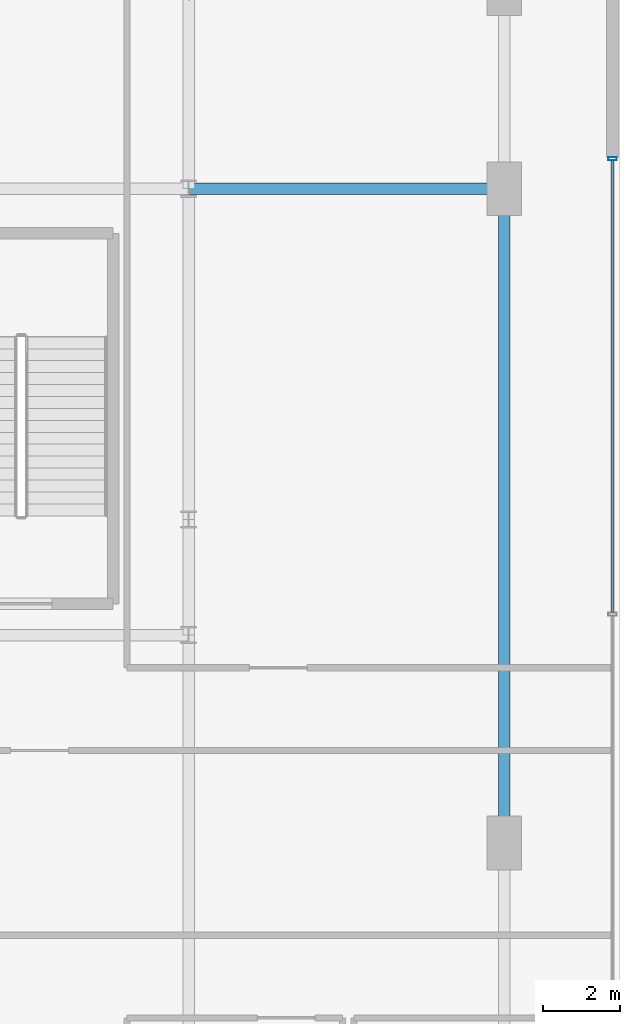
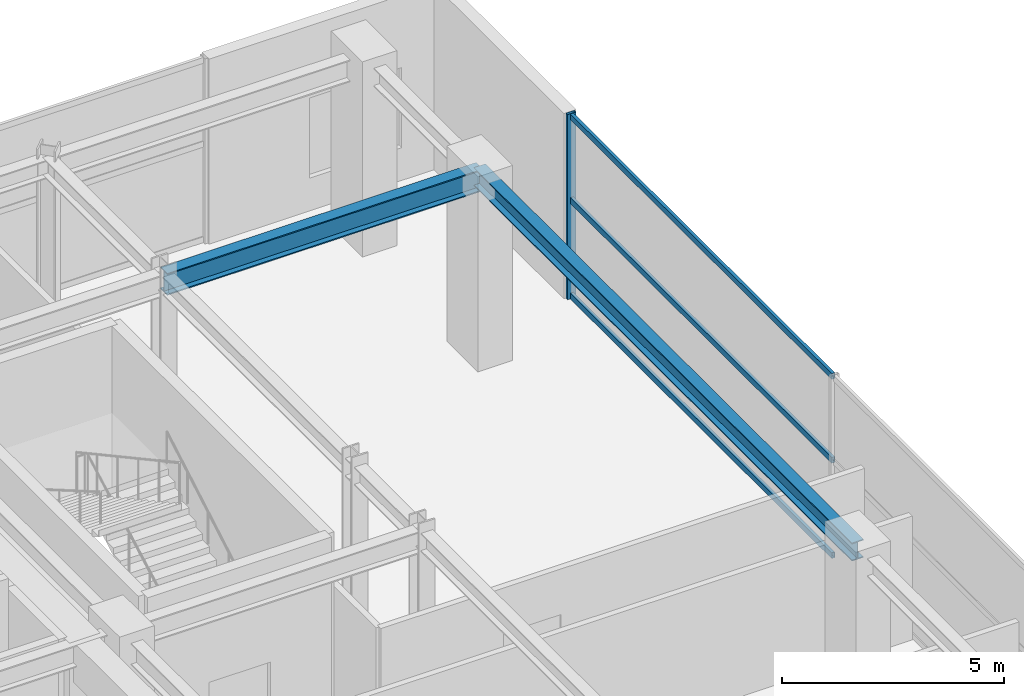
# One storey, part 24 of 34: 4 members, 2 beams, 1 element without a shape of its own.
"""IFC4 building model written with IfcOpenShell, lengths in metres."""

import ifcopenshell
import ifcopenshell.guid

model = None  # the IFC model being written
_history = None  # IfcOwnerHistory: only IFC2X3 demands one
_inside = {}  # id of a spatial element -> (the spatial element, [elements in it])
_under = {}  # id of a project, library or spatial element -> (it, [spatial elements below it])
_declared = {}  # id of a project -> (the project, [libraries it declares])
_typed = {}  # id of a type object -> (the type object, [elements of that type])
_made_of = {}  # id of a material, layer set ... -> (it, [elements and type objects made of it])


def new_model(schema):
    """Start an empty IFC model of exactly this schema.

    Asked for "IFC4X3", IfcOpenShell would pick the latest addendum, in which some entities
    have other attributes; the version numbers below select the first issue.
    IFC2X3 requires an IfcOwnerHistory on every rooted entity: one is made here for all.
    """
    global model, _history
    if schema == "IFC4X3":
        model = ifcopenshell.file(schema_version=(4, 3, 0, 0))
    else:
        model = ifcopenshell.file(schema=schema)
    _inside.clear()
    _under.clear()
    _declared.clear()
    _typed.clear()
    _made_of.clear()
    _history = None
    if model.schema == "IFC2X3":
        org = make("IfcOrganization", Name="unknown")
        user = make(
            "IfcPersonAndOrganization",
            ThePerson=make("IfcPerson", FamilyName="unknown"),
            TheOrganization=org,
        )
        app = make(
            "IfcApplication",
            ApplicationDeveloper=org,
            Version="unknown",
            ApplicationFullName="unknown",
            ApplicationIdentifier="unknown",
        )
        _history = make(
            "IfcOwnerHistory",
            OwningUser=user,
            OwningApplication=app,
            ChangeAction="ADDED",
            CreationDate=0,
        )
    return model


def make(cls, **values):
    """One entity of the class cls with the attributes given. An attribute that is None is left unset."""
    return model.create_entity(
        cls, **{name: value for name, value in values.items() if value is not None}
    )


def rooted(cls, **values):
    """An entity with a GlobalId (a new one), such as an element, a storey or a relation."""
    return make(cls, GlobalId=ifcopenshell.guid.new(), OwnerHistory=_history, **values)


def si_unit(unit_type, name, prefix=None):
    """IfcSIUnit, for example si_unit("LENGTHUNIT", "METRE", prefix="MILLI")."""
    return make("IfcSIUnit", UnitType=unit_type, Prefix=prefix, Name=name)


def assignment(units):
    """IfcUnitAssignment: the units of a project."""
    return None if units is None else make("IfcUnitAssignment", Units=units)


def point(xyz):
    """IfcCartesianPoint."""
    return None if xyz is None else make("IfcCartesianPoint", Coordinates=xyz)


def direction(xyz):
    """IfcDirection."""
    return None if xyz is None else make("IfcDirection", DirectionRatios=xyz)


def frame(location, z_axis=None, x_axis=None):
    """IfcAxis2Placement3D, a coordinate frame: its origin and axes. An axis left out is left unset."""
    return make(
        "IfcAxis2Placement3D",
        Location=point(location),
        Axis=direction(z_axis),
        RefDirection=direction(x_axis),
    )


def frame_2d(location, x_axis=None):
    """IfcAxis2Placement2D, a coordinate frame in the plane: its origin and x axis."""
    return make(
        "IfcAxis2Placement2D", Location=point(location), RefDirection=direction(x_axis)
    )


def origin():
    """The frame at (0, 0, 0) with its axes left unset."""
    return frame((0.0, 0.0, 0.0))


def origin_2d():
    """The frame at (0, 0) in the plane with its x axis left unset."""
    return frame_2d((0.0, 0.0))


def place(relative_to, where):
    """IfcLocalPlacement: puts the frame where relative to a parent placement (None: the world)."""
    return make(
        "IfcLocalPlacement", PlacementRelTo=relative_to, RelativePlacement=where
    )


def context(
    kind, dimensions, precision=None, world=None, true_north=None, identifier=None
):
    """IfcGeometricRepresentationContext, for example the 3D "Model" context."""
    return make(
        "IfcGeometricRepresentationContext",
        ContextIdentifier=identifier,
        ContextType=kind,
        CoordinateSpaceDimension=dimensions,
        Precision=precision,
        WorldCoordinateSystem=world,
        TrueNorth=true_north,
    )


def subcontext(parent, identifier, kind, view, scale=None):
    """IfcGeometricRepresentationSubContext, for example "Body" below "Model"."""
    return make(
        "IfcGeometricRepresentationSubContext",
        ContextIdentifier=identifier,
        ContextType=kind,
        ParentContext=parent,
        TargetScale=scale,
        TargetView=view,
    )


def project(units=None, contexts=None):
    """IfcProject with its units and contexts."""
    return rooted(
        "IfcProject",
        Name="project",
        RepresentationContexts=contexts,
        UnitsInContext=assignment(units),
    )


def spatial(cls, under=None, at=None, **own):
    """A site, building, storey or space (cls), placed at a placement, below another one or the project."""
    s = rooted(cls, ObjectPlacement=at, **own)
    if under is not None:
        _under.setdefault(under.id(), (under, []))[1].append(s)
    return s


def profile(cls, at=None, kind="AREA", **sizes):
    """A parametric profile (cls). Its sizes go by their IFC names, for example OverallWidth=200.0."""
    return make(cls, ProfileType=kind, Position=at, **sizes)


def hollow_rectangle(**sizes):
    """IfcRectangleHollowProfileDef."""
    return profile("IfcRectangleHollowProfileDef", **sizes)


def i_section(**sizes):
    """IfcIShapeProfileDef."""
    return profile("IfcIShapeProfileDef", **sizes)


def extrude(swept, where, along, depth):
    """IfcExtrudedAreaSolid: the profile swept, set in the frame where, extruded along a direction by depth."""
    return make(
        "IfcExtrudedAreaSolid",
        SweptArea=swept,
        Position=where,
        ExtrudedDirection=direction(along),
        Depth=depth,
    )


def shape(context_of_items, identifier, shape_type, items):
    """IfcShapeRepresentation: the items that make up one representation, for example the "Body"."""
    return make(
        "IfcShapeRepresentation",
        ContextOfItems=context_of_items,
        RepresentationIdentifier=identifier,
        RepresentationType=shape_type,
        Items=items,
    )


def source(mapping_origin, context_of_items, identifier, shape_type, items):
    """IfcRepresentationMap: a shape defined once, which mapped items show again and again."""
    return make(
        "IfcRepresentationMap",
        MappingOrigin=mapping_origin,
        MappedRepresentation=shape(context_of_items, identifier, shape_type, items),
    )


def transform(
    local_origin,
    x_axis=None,
    y_axis=None,
    z_axis=None,
    scale=None,
    scale2=None,
    scale3=None,
    uniform=True,
):
    """IfcCartesianTransformationOperator3D, or its non-uniform kind. x_axis, y_axis, z_axis: its Axis1, 2, 3."""
    if uniform:
        return make(
            "IfcCartesianTransformationOperator3D",
            Axis1=direction(x_axis),
            Axis2=direction(y_axis),
            LocalOrigin=point(local_origin),
            Scale=scale,
            Axis3=direction(z_axis),
        )
    return make(
        "IfcCartesianTransformationOperator3DnonUniform",
        Axis1=direction(x_axis),
        Axis2=direction(y_axis),
        LocalOrigin=point(local_origin),
        Scale=scale,
        Axis3=direction(z_axis),
        Scale2=scale2,
        Scale3=scale3,
    )


def mapped(mapping_source, mapping_target):
    """IfcMappedItem: shows the shape of a source again, moved by a transform."""
    return make(
        "IfcMappedItem", MappingSource=mapping_source, MappingTarget=mapping_target
    )


def material(Name=None, Category=None):
    """IfcMaterial."""
    return make("IfcMaterial", Name=Name, Category=Category)


def material_profile(
    of_material, cross_section, Name=None, Category=None, Priority=None
):
    """IfcMaterialProfile: a cross section and its material."""
    return make(
        "IfcMaterialProfile",
        Name=Name,
        Material=of_material,
        Profile=cross_section,
        Priority=Priority,
        Category=Category,
    )


def profile_set(profiles, Name=None, composite=None):
    """IfcMaterialProfileSet."""
    return make(
        "IfcMaterialProfileSet",
        Name=Name,
        MaterialProfiles=profiles,
        CompositeProfile=composite,
    )


def made_of(thing, what):
    """Note that an element or type object is made of a material, layer set ...; save() writes the relation."""
    if what is not None:
        _made_of.setdefault(what.id(), (what, []))[1].append(thing)
    return thing


def type_object(cls, material=None, **own):
    """A type object (cls), such as IfcWallType, which elements share."""
    return made_of(rooted(cls, **own), material)


def element(
    cls,
    number,
    at=None,
    inside=None,
    cuts=None,
    type_object=None,
    material=None,
    context=None,
    identifier="Body",
    shape_type=None,
    held_by="IfcProductDefinitionShape",
    body=None,
    shapes=None,
    **own,
):
    """One element of the class cls, such as IfcWall. Its Tag is "e" and its number.

    at: its placement. inside: the storey or other place that contains it. cuts: it is an
    opening in that element (IfcRelVoidsElement). A single representation is given by context,
    identifier, shape_type and body (its items); several are given by shapes. held_by: the class
    of the entity that holds the representations. save() writes the other relations.
    """
    e = rooted(cls, Tag="e%d" % number, ObjectPlacement=at, **own)
    if body is not None:
        shapes = [shape(context, identifier, shape_type, body)]
    if shapes is not None:
        e.Representation = make(held_by, Representations=shapes)
    if inside is not None:
        _inside.setdefault(inside.id(), (inside, []))[1].append(e)
    if cuts is not None:
        rooted(
            "IfcRelVoidsElement", RelatingBuildingElement=cuts, RelatedOpeningElement=e
        )
    if type_object is not None:
        _typed.setdefault(type_object.id(), (type_object, []))[1].append(e)
    return made_of(e, material)


def aggregate(whole, parts):
    """IfcRelAggregates: a whole, such as a stair, and the parts it consists of."""
    return rooted("IfcRelAggregates", RelatingObject=whole, RelatedObjects=parts)


def save(model, path):
    """Write the relations noted so far, then the file.

    IfcRelAggregates (storeys below a building ...), IfcRelContainedInSpatialStructure (elements
    in a storey), IfcRelDefinesByType, IfcRelAssociatesMaterial and IfcRelDeclares: one each for
    every whole, place, type object, material and project.
    """
    for whole, parts in _under.values():
        aggregate(whole, parts)
    for where, things in _inside.values():
        rooted(
            "IfcRelContainedInSpatialStructure",
            RelatedElements=things,
            RelatingStructure=where,
        )
    for kind, things in _typed.values():
        rooted("IfcRelDefinesByType", RelatedObjects=things, RelatingType=kind)
    for what, things in _made_of.values():
        rooted("IfcRelAssociatesMaterial", RelatedObjects=things, RelatingMaterial=what)
    for by, libraries in _declared.values():
        rooted("IfcRelDeclares", RelatingContext=by, RelatedDefinitions=libraries)
    model.write(path)


model = new_model("IFC4")

# Units and contexts
model_context = context("Model", 3, precision=1e-05, world=origin(), true_north=direction((0.0, 1.0)))
body_context = subcontext(model_context, "Body", "Model", "MODEL_VIEW")
ifc_project = project(units=[si_unit("LENGTHUNIT", "METRE"), si_unit("AREAUNIT", "SQUARE_METRE"), si_unit("VOLUMEUNIT", "CUBIC_METRE"), si_unit("PLANEANGLEUNIT", "RADIAN"), si_unit("MASSUNIT", "GRAM", prefix="KILO")], contexts=[model_context])

# Site, building, storey
site_placement = place(None, origin())
site = spatial("IfcSite", under=ifc_project, at=site_placement, CompositionType="ELEMENT")
building_placement = place(site_placement, origin())
building = spatial("IfcBuilding", under=site, at=building_placement, Name="Nahalor Promenade Grand Hotel", CompositionType="ELEMENT")
storey_placement = place(building_placement, frame((0.0, 0.0, 16.199951171875)))
storey = spatial("IfcBuildingStorey", under=building, at=storey_placement, Name="L03", CompositionType="ELEMENT", Elevation=16.199951171875)

# Beams
ifc_material_1 = material(Name="Steel S355JR", Category="steel")
ifc_material_profile_1 = material_profile(ifc_material_1, i_section(OverallWidth=0.3, OverallDepth=0.6, WebThickness=0.0155, FlangeThickness=0.03, at=origin_2d()), Name="HEB 600")
ifc_profile_set_1 = profile_set([ifc_material_profile_1], Name="Steel S355JR")
beam_type_1 = type_object("IfcBeamType", Name="Beam-Girder-HEB600", PredefinedType="BEAM", material=ifc_profile_set_1)
shared_shape_1 = source(origin(), body_context, "Body", "SweptSolid", [
    extrude(i_section(OverallWidth=0.3, OverallDepth=0.6, WebThickness=0.0155, FlangeThickness=0.03, at=origin_2d()), origin(), (0.0, 0.0, 1.0), 8.199951171875),
])
beam_1_placement = place(storey_placement, frame((24.800048828125, 17.0, 4.780029296875), z_axis=(1.0, 0.0, 0.0), x_axis=(0.0, 1.0, 0.0)))
element("IfcBeam", 1, at=beam_1_placement, inside=storey, type_object=beam_type_1, Name="BM-L03-GX-3-8", PredefinedType="BEAM", context=body_context, shape_type="MappedRepresentation", body=[
    mapped(shared_shape_1, transform((0.0, 0.0, 0.0), scale=1.0)),
])
ifc_material_profile_2 = material_profile(ifc_material_1, i_section(OverallWidth=0.3, OverallDepth=0.5, WebThickness=0.0145, FlangeThickness=0.028, at=origin_2d()), Name="HEB 500")
ifc_profile_set_2 = profile_set([ifc_material_profile_2], Name="Steel S355JR")
beam_type_2 = type_object("IfcBeamType", Name="Beam-Spandrel-HEB500", PredefinedType="SPANDREL", material=ifc_profile_set_2)
shared_shape_2 = source(origin(), body_context, "Body", "SweptSolid", [
    extrude(i_section(OverallWidth=0.3, OverallDepth=0.5, WebThickness=0.0145, FlangeThickness=0.028, at=origin_2d()), origin(), (0.0, 0.0, 1.0), 17.0),
])
beam_2_placement = place(storey_placement, frame((33.0, 0.0, 4.830078125), z_axis=(0.0, 1.0, 0.0), x_axis=(-1.0, 0.0, 0.0)))
element("IfcBeam", 2, at=beam_2_placement, inside=storey, type_object=beam_type_2, Name="BM-L03-PE-2", PredefinedType="SPANDREL", context=body_context, shape_type="MappedRepresentation", body=[
    mapped(shared_shape_2, transform((0.0, 0.0, 0.0), scale=1.0)),
])

# Curtain wall, members
ifc_material_2 = material(Name="Anodised Bronze Aluminium EN AW-6063 T6", Category="aluminium")
curtain_wall_type = type_object("IfcCurtainWallType", Name="CW1 Waterfront Podium Bronze Arcade Curtain Wall", PredefinedType="USERDEFINED", material=ifc_material_2)
curtain_wall_placement = place(storey_placement, origin())
curtain_wall = element("IfcCurtainWall", 3, at=curtain_wall_placement, inside=storey, type_object=curtain_wall_type, Name="L03 Curtain Wall CW-L03-E", ObjectType="UNITISED_CURTAIN_WALL", PredefinedType="USERDEFINED")
ifc_material_profile_3 = material_profile(ifc_material_2, hollow_rectangle(XDim=0.08, YDim=0.22, WallThickness=0.005, at=origin_2d()), Name="CWM 80x220x5")
ifc_profile_set_3 = profile_set([ifc_material_profile_3], Name="Anodised Bronze Aluminium EN AW-6063 T6")
member_type_1 = type_object("IfcMemberType", Name="CWM1 Podium Bronze Mullion 80x220", PredefinedType="MULLION", material=ifc_profile_set_3)
shared_shape_3 = source(origin(), body_context, "Body", "SweptSolid", [
    extrude(hollow_rectangle(XDim=0.08, YDim=0.22, WallThickness=0.005, at=origin_2d()), origin(), (0.0, 0.0, 1.0), 5.080078125),
])
member_1_placement = place(storey_placement, frame((35.820068359375, 17.780029296875, 0.0), z_axis=(0.0, 0.0, 1.0), x_axis=(0.0, 1.0, 0.0)))
member_1 = element("IfcMember", 4, at=member_1_placement, type_object=member_type_1, Name="CW-L03-E Mullion 3", PredefinedType="MULLION", context=body_context, shape_type="MappedRepresentation", body=[
    mapped(shared_shape_3, transform((0.0, 0.0, 0.0), scale=1.0)),
])
ifc_material_profile_4 = material_profile(ifc_material_2, hollow_rectangle(XDim=0.08, YDim=0.16, WallThickness=0.004, at=origin_2d()), Name="CWT 80x160x4")
ifc_profile_set_4 = profile_set([ifc_material_profile_4], Name="Anodised Bronze Aluminium EN AW-6063 T6")
member_type_2 = type_object("IfcMemberType", Name="CWT1 Podium Bronze Transom 80x160", PredefinedType="USERDEFINED", material=ifc_profile_set_4)
shared_shape_4 = source(origin(), body_context, "Body", "SweptSolid", [
    extrude(hollow_rectangle(XDim=0.08, YDim=0.16, WallThickness=0.004, at=origin_2d()), origin(), (0.0, 0.0, 1.0), 11.760009765625),
])
member_2_placement = place(storey_placement, frame((35.820068359375, 5.97998046875, 0.080078125), z_axis=(0.0, 1.0, 0.0), x_axis=(-1.0, 0.0, 0.0)))
member_2 = element("IfcMember", 5, at=member_2_placement, type_object=member_type_2, Name="CW-L03-E Transom 2-0", ObjectType="TRANSOM", PredefinedType="USERDEFINED", context=body_context, shape_type="MappedRepresentation", body=[
    mapped(shared_shape_4, transform((0.0, 0.0, 0.0), scale=1.0)),
])
member_3_placement = place(storey_placement, frame((35.820068359375, 5.97998046875, 2.699951171875), z_axis=(0.0, 1.0, 0.0), x_axis=(-1.0, 0.0, 0.0)))
member_3 = element("IfcMember", 6, at=member_3_placement, type_object=member_type_2, Name="CW-L03-E Transom 2-1", ObjectType="TRANSOM", PredefinedType="USERDEFINED", context=body_context, shape_type="MappedRepresentation", body=[
    mapped(shared_shape_4, transform((0.0, 0.0, 0.0), scale=1.0)),
])
member_4_placement = place(storey_placement, frame((35.820068359375, 5.97998046875, 5.0), z_axis=(0.0, 1.0, 0.0), x_axis=(-1.0, 0.0, 0.0)))
member_4 = element("IfcMember", 7, at=member_4_placement, type_object=member_type_2, Name="CW-L03-E Transom 2-2", ObjectType="TRANSOM", PredefinedType="USERDEFINED", context=body_context, shape_type="MappedRepresentation", body=[
    mapped(shared_shape_4, transform((0.0, 0.0, 0.0), scale=1.0)),
])
aggregate(curtain_wall, [member_1, member_2, member_3, member_4])

save(model, "model.ifc")
